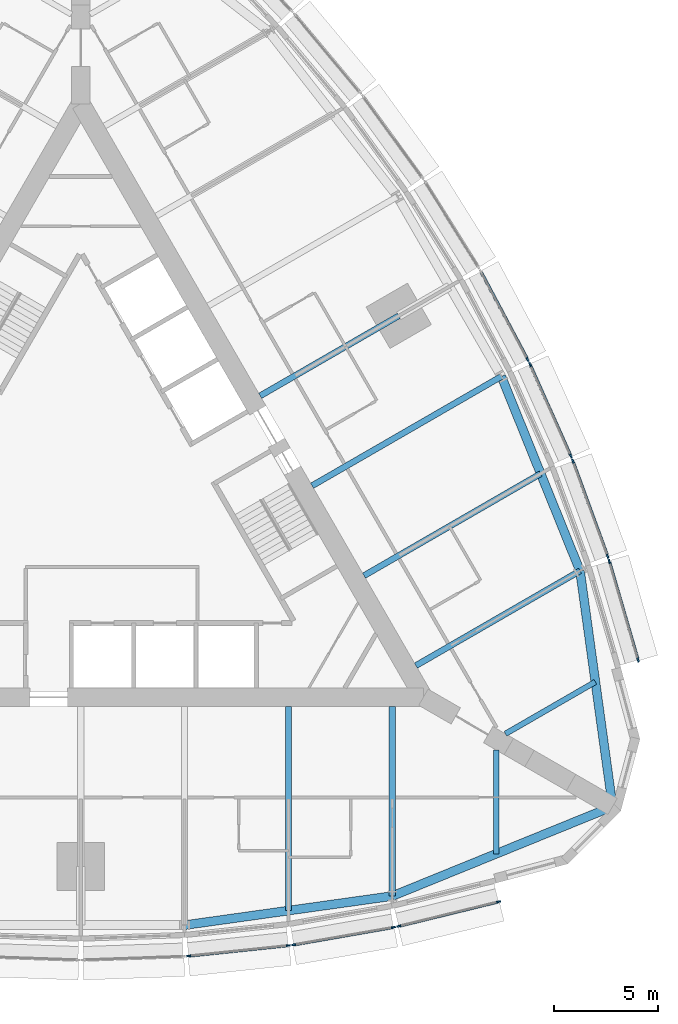
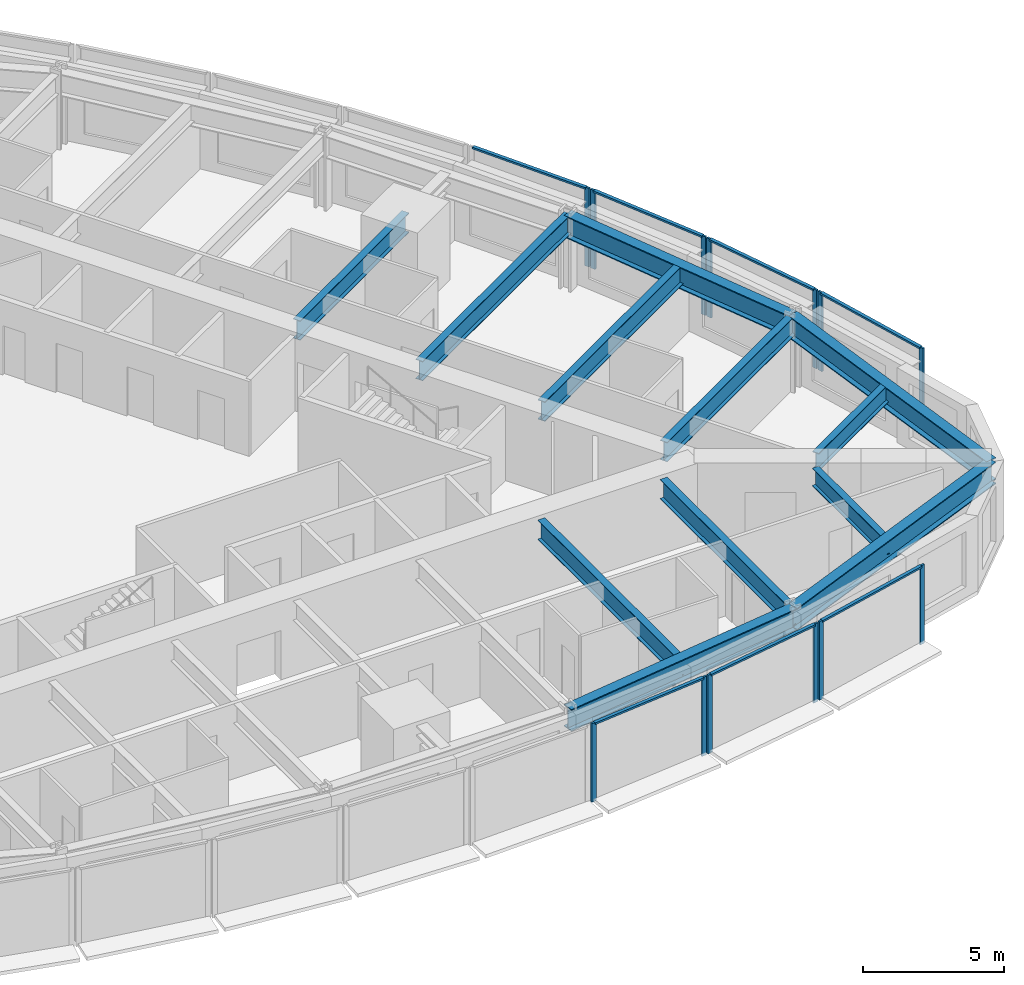
# One storey, part 3 of 14: 20 members, 12 beams, 7 elements without a shape of their own.
"""IFC4 building model written with IfcOpenShell, lengths in metres."""

import ifcopenshell
import ifcopenshell.guid

model = None  # the IFC model being written
_history = None  # IfcOwnerHistory: only IFC2X3 demands one
_inside = {}  # id of a spatial element -> (the spatial element, [elements in it])
_under = {}  # id of a project, library or spatial element -> (it, [spatial elements below it])
_declared = {}  # id of a project -> (the project, [libraries it declares])
_typed = {}  # id of a type object -> (the type object, [elements of that type])
_made_of = {}  # id of a material, layer set ... -> (it, [elements and type objects made of it])


def new_model(schema):
    """Start an empty IFC model of exactly this schema.

    Asked for "IFC4X3", IfcOpenShell would pick the latest addendum, in which some entities
    have other attributes; the version numbers below select the first issue.
    IFC2X3 requires an IfcOwnerHistory on every rooted entity: one is made here for all.
    """
    global model, _history
    if schema == "IFC4X3":
        model = ifcopenshell.file(schema_version=(4, 3, 0, 0))
    else:
        model = ifcopenshell.file(schema=schema)
    _inside.clear()
    _under.clear()
    _declared.clear()
    _typed.clear()
    _made_of.clear()
    _history = None
    if model.schema == "IFC2X3":
        org = make("IfcOrganization", Name="unknown")
        user = make(
            "IfcPersonAndOrganization",
            ThePerson=make("IfcPerson", FamilyName="unknown"),
            TheOrganization=org,
        )
        app = make(
            "IfcApplication",
            ApplicationDeveloper=org,
            Version="unknown",
            ApplicationFullName="unknown",
            ApplicationIdentifier="unknown",
        )
        _history = make(
            "IfcOwnerHistory",
            OwningUser=user,
            OwningApplication=app,
            ChangeAction="ADDED",
            CreationDate=0,
        )
    return model


def make(cls, **values):
    """One entity of the class cls with the attributes given. An attribute that is None is left unset."""
    return model.create_entity(
        cls, **{name: value for name, value in values.items() if value is not None}
    )


def rooted(cls, **values):
    """An entity with a GlobalId (a new one), such as an element, a storey or a relation."""
    return make(cls, GlobalId=ifcopenshell.guid.new(), OwnerHistory=_history, **values)


def si_unit(unit_type, name, prefix=None):
    """IfcSIUnit, for example si_unit("LENGTHUNIT", "METRE", prefix="MILLI")."""
    return make("IfcSIUnit", UnitType=unit_type, Prefix=prefix, Name=name)


def assignment(units):
    """IfcUnitAssignment: the units of a project."""
    return None if units is None else make("IfcUnitAssignment", Units=units)


def point(xyz):
    """IfcCartesianPoint."""
    return None if xyz is None else make("IfcCartesianPoint", Coordinates=xyz)


def direction(xyz):
    """IfcDirection."""
    return None if xyz is None else make("IfcDirection", DirectionRatios=xyz)


def frame(location, z_axis=None, x_axis=None):
    """IfcAxis2Placement3D, a coordinate frame: its origin and axes. An axis left out is left unset."""
    return make(
        "IfcAxis2Placement3D",
        Location=point(location),
        Axis=direction(z_axis),
        RefDirection=direction(x_axis),
    )


def frame_2d(location, x_axis=None):
    """IfcAxis2Placement2D, a coordinate frame in the plane: its origin and x axis."""
    return make(
        "IfcAxis2Placement2D", Location=point(location), RefDirection=direction(x_axis)
    )


def origin():
    """The frame at (0, 0, 0) with its axes left unset."""
    return frame((0.0, 0.0, 0.0))


def origin_2d():
    """The frame at (0, 0) in the plane with its x axis left unset."""
    return frame_2d((0.0, 0.0))


def place(relative_to, where):
    """IfcLocalPlacement: puts the frame where relative to a parent placement (None: the world)."""
    return make(
        "IfcLocalPlacement", PlacementRelTo=relative_to, RelativePlacement=where
    )


def context(
    kind, dimensions, precision=None, world=None, true_north=None, identifier=None
):
    """IfcGeometricRepresentationContext, for example the 3D "Model" context."""
    return make(
        "IfcGeometricRepresentationContext",
        ContextIdentifier=identifier,
        ContextType=kind,
        CoordinateSpaceDimension=dimensions,
        Precision=precision,
        WorldCoordinateSystem=world,
        TrueNorth=true_north,
    )


def subcontext(parent, identifier, kind, view, scale=None):
    """IfcGeometricRepresentationSubContext, for example "Body" below "Model"."""
    return make(
        "IfcGeometricRepresentationSubContext",
        ContextIdentifier=identifier,
        ContextType=kind,
        ParentContext=parent,
        TargetScale=scale,
        TargetView=view,
    )


def project(units=None, contexts=None):
    """IfcProject with its units and contexts."""
    return rooted(
        "IfcProject",
        Name="project",
        RepresentationContexts=contexts,
        UnitsInContext=assignment(units),
    )


def spatial(cls, under=None, at=None, **own):
    """A site, building, storey or space (cls), placed at a placement, below another one or the project."""
    s = rooted(cls, ObjectPlacement=at, **own)
    if under is not None:
        _under.setdefault(under.id(), (under, []))[1].append(s)
    return s


def profile(cls, at=None, kind="AREA", **sizes):
    """A parametric profile (cls). Its sizes go by their IFC names, for example OverallWidth=200.0."""
    return make(cls, ProfileType=kind, Position=at, **sizes)


def rectangle(**sizes):
    """IfcRectangleProfileDef."""
    return profile("IfcRectangleProfileDef", **sizes)


def i_section(**sizes):
    """IfcIShapeProfileDef."""
    return profile("IfcIShapeProfileDef", **sizes)


def extrude(swept, where, along, depth):
    """IfcExtrudedAreaSolid: the profile swept, set in the frame where, extruded along a direction by depth."""
    return make(
        "IfcExtrudedAreaSolid",
        SweptArea=swept,
        Position=where,
        ExtrudedDirection=direction(along),
        Depth=depth,
    )


def shape(context_of_items, identifier, shape_type, items):
    """IfcShapeRepresentation: the items that make up one representation, for example the "Body"."""
    return make(
        "IfcShapeRepresentation",
        ContextOfItems=context_of_items,
        RepresentationIdentifier=identifier,
        RepresentationType=shape_type,
        Items=items,
    )


def material(Name=None, Category=None):
    """IfcMaterial."""
    return make("IfcMaterial", Name=Name, Category=Category)


def material_profile(
    of_material, cross_section, Name=None, Category=None, Priority=None
):
    """IfcMaterialProfile: a cross section and its material."""
    return make(
        "IfcMaterialProfile",
        Name=Name,
        Material=of_material,
        Profile=cross_section,
        Priority=Priority,
        Category=Category,
    )


def profile_set(profiles, Name=None, composite=None):
    """IfcMaterialProfileSet."""
    return make(
        "IfcMaterialProfileSet",
        Name=Name,
        MaterialProfiles=profiles,
        CompositeProfile=composite,
    )


def made_of(thing, what):
    """Note that an element or type object is made of a material, layer set ...; save() writes the relation."""
    if what is not None:
        _made_of.setdefault(what.id(), (what, []))[1].append(thing)
    return thing


def type_object(cls, material=None, **own):
    """A type object (cls), such as IfcWallType, which elements share."""
    return made_of(rooted(cls, **own), material)


def element(
    cls,
    number,
    at=None,
    inside=None,
    cuts=None,
    type_object=None,
    material=None,
    context=None,
    identifier="Body",
    shape_type=None,
    held_by="IfcProductDefinitionShape",
    body=None,
    shapes=None,
    **own,
):
    """One element of the class cls, such as IfcWall. Its Tag is "e" and its number.

    at: its placement. inside: the storey or other place that contains it. cuts: it is an
    opening in that element (IfcRelVoidsElement). A single representation is given by context,
    identifier, shape_type and body (its items); several are given by shapes. held_by: the class
    of the entity that holds the representations. save() writes the other relations.
    """
    e = rooted(cls, Tag="e%d" % number, ObjectPlacement=at, **own)
    if body is not None:
        shapes = [shape(context, identifier, shape_type, body)]
    if shapes is not None:
        e.Representation = make(held_by, Representations=shapes)
    if inside is not None:
        _inside.setdefault(inside.id(), (inside, []))[1].append(e)
    if cuts is not None:
        rooted(
            "IfcRelVoidsElement", RelatingBuildingElement=cuts, RelatedOpeningElement=e
        )
    if type_object is not None:
        _typed.setdefault(type_object.id(), (type_object, []))[1].append(e)
    return made_of(e, material)


def aggregate(whole, parts):
    """IfcRelAggregates: a whole, such as a stair, and the parts it consists of."""
    return rooted("IfcRelAggregates", RelatingObject=whole, RelatedObjects=parts)


def save(model, path):
    """Write the relations noted so far, then the file.

    IfcRelAggregates (storeys below a building ...), IfcRelContainedInSpatialStructure (elements
    in a storey), IfcRelDefinesByType, IfcRelAssociatesMaterial and IfcRelDeclares: one each for
    every whole, place, type object, material and project.
    """
    for whole, parts in _under.values():
        aggregate(whole, parts)
    for where, things in _inside.values():
        rooted(
            "IfcRelContainedInSpatialStructure",
            RelatedElements=things,
            RelatingStructure=where,
        )
    for kind, things in _typed.values():
        rooted("IfcRelDefinesByType", RelatedObjects=things, RelatingType=kind)
    for what, things in _made_of.values():
        rooted("IfcRelAssociatesMaterial", RelatedObjects=things, RelatingMaterial=what)
    for by, libraries in _declared.values():
        rooted("IfcRelDeclares", RelatingContext=by, RelatedDefinitions=libraries)
    model.write(path)


model = new_model("IFC4")

# Units and contexts
model_context = context("Model", 3, precision=1e-05, world=origin(), true_north=direction((0.0, 1.0)))
body_context = subcontext(model_context, "Body", "Model", "MODEL_VIEW")
ifc_project = project(units=[si_unit("LENGTHUNIT", "METRE"), si_unit("AREAUNIT", "SQUARE_METRE"), si_unit("VOLUMEUNIT", "CUBIC_METRE"), si_unit("PLANEANGLEUNIT", "RADIAN"), si_unit("MASSUNIT", "GRAM", prefix="KILO")], contexts=[model_context])

# Site, building, storey
site_placement = place(None, origin())
site = spatial("IfcSite", under=ifc_project, at=site_placement, CompositionType="ELEMENT")
building_placement = place(site_placement, origin())
building = spatial("IfcBuilding", under=site, at=building_placement, Name="Trikona Tower", CompositionType="ELEMENT")
storey_placement = place(building_placement, frame((0.0, 0.0, 155.5)))
storey = spatial("IfcBuildingStorey", under=building, at=storey_placement, Name="L41", CompositionType="ELEMENT", Elevation=155.5)

# Curtain wall, members
ifc_material_1 = material(Name="Aluminium curtain wall system", Category="aluminium")
curtain_wall_type = type_object("IfcCurtainWallType", Name="Curtain wall DS2", PredefinedType="NOTDEFINED", material=ifc_material_1)
curtain_wall_1_placement = place(storey_placement, origin())
curtain_wall_1 = element("IfcCurtainWall", 1, at=curtain_wall_1_placement, inside=storey, type_object=curtain_wall_type, Name="Curtain wall DS2 L41", PredefinedType="NOTDEFINED")
ifc_material_2 = material(Name="Aluminium mullion, pale anodised", Category="aluminium")
ifc_material_profile_1 = material_profile(ifc_material_2, rectangle(XDim=0.080078125, YDim=0.199951171875, at=origin_2d()), Name="MUL-DS2")
ifc_profile_set_1 = profile_set([ifc_material_profile_1], Name="Aluminium mullion, pale anodised")
member_type_1 = type_object("IfcMemberType", Name="Mullion DS2 80x200", PredefinedType="MULLION", material=ifc_profile_set_1)
member_1_placement = place(storey_placement, frame((5.193359375, -21.98486328125, 0.0), z_axis=(0.0, 0.0, 1.0), x_axis=(-0.104433387357, 0.994531883654, 0.0)))
member_1 = element("IfcMember", 2, at=member_1_placement, type_object=member_type_1, Name="CW-DS2 mullion 1", PredefinedType="MULLION", context=body_context, shape_type="SweptSolid", body=[
    extrude(rectangle(XDim=0.080078125, YDim=0.199951171875, at=origin_2d()), origin(), (0.0, 0.0, 1.0), 3.39990234375),
])
member_2_placement = place(storey_placement, frame((9.99462890625, -21.480712890625, 0.0), z_axis=(0.0, 0.0, 1.0), x_axis=(-0.104433387357, 0.994531883654, 0.0)))
member_2 = element("IfcMember", 3, at=member_2_placement, type_object=member_type_1, Name="CW-DS2 mullion 2", PredefinedType="MULLION", context=body_context, shape_type="SweptSolid", body=[
    extrude(rectangle(XDim=0.080078125, YDim=0.199951171875, at=origin_2d()), origin(), (0.0, 0.0, 1.0), 3.39990234375),
])

curtain_wall_2_placement = place(storey_placement, origin())
curtain_wall_2 = element("IfcCurtainWall", 4, at=curtain_wall_2_placement, inside=storey, type_object=curtain_wall_type, Name="Curtain wall DS2 L41", PredefinedType="NOTDEFINED")
member_3_placement = place(storey_placement, frame((10.253662109375, -21.444580078125, 0.0), z_axis=(0.0, 0.0, 1.0), x_axis=(-0.17237739505, 0.985030981074, 0.0)))
member_3 = element("IfcMember", 5, at=member_3_placement, type_object=member_type_1, Name="CW-DS2 mullion 1", PredefinedType="MULLION", context=body_context, shape_type="SweptSolid", body=[
    extrude(rectangle(XDim=0.080078125, YDim=0.199951171875, at=origin_2d()), origin(), (0.0, 0.0, 1.0), 3.39990234375),
])
member_4_placement = place(storey_placement, frame((15.056640625, -20.60400390625, 0.0), z_axis=(0.0, 0.0, 1.0), x_axis=(-0.17237739505, 0.985030981074, 0.0)))
member_4 = element("IfcMember", 6, at=member_4_placement, type_object=member_type_1, Name="CW-DS2 mullion 2", PredefinedType="MULLION", context=body_context, shape_type="SweptSolid", body=[
    extrude(rectangle(XDim=0.080078125, YDim=0.199951171875, at=origin_2d()), origin(), (0.0, 0.0, 1.0), 3.39990234375),
])

curtain_wall_3_placement = place(storey_placement, origin())
curtain_wall_3 = element("IfcCurtainWall", 7, at=curtain_wall_3_placement, inside=storey, type_object=curtain_wall_type, Name="Curtain wall DS2 L41", PredefinedType="NOTDEFINED")
member_5_placement = place(storey_placement, frame((15.311279296875, -20.550537109375, 0.0), z_axis=(0.0, 0.0, 1.0), x_axis=(-0.237970204243, 0.971272455026, 0.0)))
member_5 = element("IfcMember", 8, at=member_5_placement, type_object=member_type_1, Name="CW-DS2 mullion 1", PredefinedType="MULLION", context=body_context, shape_type="SweptSolid", body=[
    extrude(rectangle(XDim=0.080078125, YDim=0.199951171875, at=origin_2d()), origin(), (0.0, 0.0, 1.0), 3.39990234375),
])
member_6_placement = place(storey_placement, frame((20.116943359375, -19.373046875, 0.0), z_axis=(0.0, 0.0, 1.0), x_axis=(-0.237970204243, 0.971272455026, 0.0)))
member_6 = element("IfcMember", 9, at=member_6_placement, type_object=member_type_1, Name="CW-DS2 mullion 2", PredefinedType="MULLION", context=body_context, shape_type="SweptSolid", body=[
    extrude(rectangle(XDim=0.080078125, YDim=0.199951171875, at=origin_2d()), origin(), (0.0, 0.0, 1.0), 3.39990234375),
])

curtain_wall_4_placement = place(storey_placement, origin())
curtain_wall_4 = element("IfcCurtainWall", 10, at=curtain_wall_4_placement, inside=storey, type_object=curtain_wall_type, Name="Curtain wall DS2 L41", PredefinedType="NOTDEFINED")
member_7_placement = place(storey_placement, frame((26.836181640625, -7.7353515625, 0.0), z_axis=(0.0, 0.0, 1.0), x_axis=(-0.96013310152, -0.279543247757, 0.0)))
member_7 = element("IfcMember", 11, at=member_7_placement, type_object=member_type_1, Name="CW-DS2 mullion 1", PredefinedType="MULLION", context=body_context, shape_type="SweptSolid", body=[
    extrude(rectangle(XDim=0.080078125, YDim=0.199951171875, at=origin_2d()), origin(), (0.0, 0.0, 1.0), 3.39990234375),
])
member_8_placement = place(storey_placement, frame((25.452880859375, -2.984619140625, 0.0), z_axis=(0.0, 0.0, 1.0), x_axis=(-0.96013310152, -0.279543247757, 0.0)))
member_8 = element("IfcMember", 12, at=member_8_placement, type_object=member_type_1, Name="CW-DS2 mullion 2", PredefinedType="MULLION", context=body_context, shape_type="SweptSolid", body=[
    extrude(rectangle(XDim=0.080078125, YDim=0.199951171875, at=origin_2d()), origin(), (0.0, 0.0, 1.0), 3.39990234375),
])

curtain_wall_5_placement = place(storey_placement, origin())
curtain_wall_5 = element("IfcCurtainWall", 13, at=curtain_wall_5_placement, inside=storey, type_object=curtain_wall_type, Name="Curtain wall DS2 L41", PredefinedType="NOTDEFINED")
member_9_placement = place(storey_placement, frame((25.371826171875, -2.737548828125, 0.0), z_axis=(0.0, 0.0, 1.0), x_axis=(-0.939253790978, -0.343223420143, 0.0)))
member_9 = element("IfcMember", 14, at=member_9_placement, type_object=member_type_1, Name="CW-DS2 mullion 1", PredefinedType="MULLION", context=body_context, shape_type="SweptSolid", body=[
    extrude(rectangle(XDim=0.080078125, YDim=0.199951171875, at=origin_2d()), origin(), (0.0, 0.0, 1.0), 3.39990234375),
])
member_10_placement = place(storey_placement, frame((23.6982421875, 1.84228515625, 0.0), z_axis=(0.0, 0.0, 1.0), x_axis=(-0.939253790978, -0.343223420143, 0.0)))
member_10 = element("IfcMember", 15, at=member_10_placement, type_object=member_type_1, Name="CW-DS2 mullion 2", PredefinedType="MULLION", context=body_context, shape_type="SweptSolid", body=[
    extrude(rectangle(XDim=0.080078125, YDim=0.199951171875, at=origin_2d()), origin(), (0.0, 0.0, 1.0), 3.39990234375),
])

curtain_wall_6_placement = place(storey_placement, origin())
curtain_wall_6 = element("IfcCurtainWall", 16, at=curtain_wall_6_placement, inside=storey, type_object=curtain_wall_type, Name="Curtain wall DS2 L41", PredefinedType="NOTDEFINED")
member_11_placement = place(storey_placement, frame((23.60009765625, 2.0849609375, 0.0), z_axis=(0.0, 0.0, 1.0), x_axis=(-0.913501208767, -0.406836013132, 0.0)))
member_11 = element("IfcMember", 17, at=member_11_placement, type_object=member_type_1, Name="CW-DS2 mullion 1", PredefinedType="MULLION", context=body_context, shape_type="SweptSolid", body=[
    extrude(rectangle(XDim=0.080078125, YDim=0.199951171875, at=origin_2d()), origin(), (0.0, 0.0, 1.0), 3.39990234375),
])
member_12_placement = place(storey_placement, frame((21.63623046875, 6.494873046875, 0.0), z_axis=(0.0, 0.0, 1.0), x_axis=(-0.913501208767, -0.406836013132, 0.0)))
member_12 = element("IfcMember", 18, at=member_12_placement, type_object=member_type_1, Name="CW-DS2 mullion 2", PredefinedType="MULLION", context=body_context, shape_type="SweptSolid", body=[
    extrude(rectangle(XDim=0.080078125, YDim=0.199951171875, at=origin_2d()), origin(), (0.0, 0.0, 1.0), 3.39990234375),
])

# Curtain wall, member
curtain_wall_7_placement = place(storey_placement, origin())
curtain_wall_7 = element("IfcCurtainWall", 19, at=curtain_wall_7_placement, inside=storey, type_object=curtain_wall_type, Name="Curtain wall DS2 L41", PredefinedType="NOTDEFINED")
member_13_placement = place(storey_placement, frame((21.52099609375, 6.730712890625, 0.0), z_axis=(0.0, 0.0, 1.0), x_axis=(-0.882996107343, -0.469380308937, 0.0)))
member_13 = element("IfcMember", 20, at=member_13_placement, type_object=member_type_1, Name="CW-DS2 mullion 1", PredefinedType="MULLION", context=body_context, shape_type="SweptSolid", body=[
    extrude(rectangle(XDim=0.080078125, YDim=0.199951171875, at=origin_2d()), origin(), (0.0, 0.0, 1.0), 3.39990234375),
])

# Beams
ifc_material_3 = material(Name="Steel ASTM A992 Grade 50", Category="steel")
ifc_material_profile_2 = material_profile(ifc_material_3, i_section(OverallWidth=0.2666015625, OverallDepth=0.76953125, WebThickness=0.015625, FlangeThickness=0.025390625, at=origin_2d()), Name="W30X132")
ifc_profile_set_2 = profile_set([ifc_material_profile_2], Name="Steel ASTM A992 Grade 50")
beam_type_1 = type_object("IfcBeamType", Name="Steel beam W30x132 (wedge)", PredefinedType="BEAM", material=ifc_profile_set_2)
beam_1_placement = place(storey_placement, frame((20.0, -12.066650390625, 2.85009765625), z_axis=(0.0, -1.0, 0.0), x_axis=(1.0, 0.0, 0.0)))
element("IfcBeam", 21, at=beam_1_placement, inside=storey, type_object=beam_type_1, Name="Floor beam L42 F1 u20", PredefinedType="BEAM", context=body_context, shape_type="SweptSolid", body=[
    extrude(i_section(OverallWidth=0.2666015625, OverallDepth=0.76953125, WebThickness=0.015625, FlangeThickness=0.025390625, at=origin_2d()), origin(), (0.0, 0.0, 1.0), 5.00048828125),
])
beam_2_placement = place(storey_placement, frame((20.449951171875, -11.287109375, 2.85009765625), z_axis=(0.866038434829, 0.49997742889, 0.0), x_axis=(-0.49997742889, 0.866038434829, 0.0)))
element("IfcBeam", 22, at=beam_2_placement, inside=storey, type_object=beam_type_1, Name="Floor beam L42 F2 u-20", PredefinedType="BEAM", context=body_context, shape_type="SweptSolid", body=[
    extrude(i_section(OverallWidth=0.2666015625, OverallDepth=0.76953125, WebThickness=0.015625, FlangeThickness=0.025390625, at=origin_2d()), origin(), (0.0, 0.0, 1.0), 5.000732421875),
])
ifc_material_4 = material(Name="Steel ASTM A992 Grade 50", Category="steel")
ifc_material_profile_3 = material_profile(ifc_material_4, i_section(OverallWidth=0.2919921875, OverallDepth=0.845703125, WebThickness=0.015380859375, FlangeThickness=0.0244140625, at=origin_2d()), Name="W33X141")
ifc_profile_set_3 = profile_set([ifc_material_profile_3], Name="Steel ASTM A992 Grade 50")
beam_type_2 = type_object("IfcBeamType", Name="Steel beam W33x141 (radial typ)", PredefinedType="BEAM", material=ifc_profile_set_3)
beam_3_placement = place(storey_placement, frame((10.0, -9.976318359375, 2.81201171875), z_axis=(0.0, -1.0, 0.0), x_axis=(1.0, 0.0, 0.0)))
element("IfcBeam", 23, at=beam_3_placement, inside=storey, type_object=beam_type_2, Name="Floor beam L42 F1 u10", PredefinedType="BEAM", context=body_context, shape_type="SweptSolid", body=[
    extrude(i_section(OverallWidth=0.2919921875, OverallDepth=0.845703125, WebThickness=0.015380859375, FlangeThickness=0.0244140625, at=origin_2d()), origin(), (0.0, 0.0, 1.0), 9.823974609375),
])
beam_4_placement = place(storey_placement, frame((15.0, -9.976318359375, 2.81201171875), z_axis=(0.0, -1.0, 0.0), x_axis=(1.0, 0.0, 0.0)))
element("IfcBeam", 24, at=beam_4_placement, inside=storey, type_object=beam_type_2, Name="Floor beam L42 F1 u15", PredefinedType="BEAM", context=body_context, shape_type="SweptSolid", body=[
    extrude(i_section(OverallWidth=0.2919921875, OverallDepth=0.845703125, WebThickness=0.015380859375, FlangeThickness=0.0244140625, at=origin_2d()), origin(), (0.0, 0.0, 1.0), 9.123779296875),
])
beam_5_placement = place(storey_placement, frame((16.1396484375, -8.002197265625, 2.81201171875), z_axis=(0.866024725532, 0.500001174766, 0.0), x_axis=(-0.500001174766, 0.866024725532, 0.0)))
element("IfcBeam", 25, at=beam_5_placement, inside=storey, type_object=beam_type_2, Name="Floor beam L42 F2 u-15", PredefinedType="BEAM", context=body_context, shape_type="SweptSolid", body=[
    extrude(i_section(OverallWidth=0.2919921875, OverallDepth=0.845703125, WebThickness=0.015380859375, FlangeThickness=0.0244140625, at=origin_2d()), origin(), (0.0, 0.0, 1.0), 9.1240234375),
])
beam_6_placement = place(storey_placement, frame((13.6396484375, -3.672119140625, 2.81201171875), z_axis=(0.866020046725, 0.500009278584, 0.0), x_axis=(-0.500009278584, 0.866020046725, 0.0)))
element("IfcBeam", 26, at=beam_6_placement, inside=storey, type_object=beam_type_2, Name="Floor beam L42 F2 u-10", PredefinedType="BEAM", context=body_context, shape_type="SweptSolid", body=[
    extrude(i_section(OverallWidth=0.2919921875, OverallDepth=0.845703125, WebThickness=0.015380859375, FlangeThickness=0.0244140625, at=origin_2d()), origin(), (0.0, 0.0, 1.0), 9.823974609375),
])
beam_7_placement = place(storey_placement, frame((11.1396484375, 0.657958984375, 2.81201171875), z_axis=(0.866026035623, 0.499998905622, 0.0), x_axis=(-0.499998905622, 0.866026035623, 0.0)))
element("IfcBeam", 27, at=beam_7_placement, inside=storey, type_object=beam_type_2, Name="Floor beam L42 F2 u-5", PredefinedType="BEAM", context=body_context, shape_type="SweptSolid", body=[
    extrude(i_section(OverallWidth=0.2919921875, OverallDepth=0.845703125, WebThickness=0.015380859375, FlangeThickness=0.0244140625, at=origin_2d()), origin(), (0.0, 0.0, 1.0), 10.52392578125),
])
beam_8_placement = place(storey_placement, frame((8.6396484375, 4.988037109375, 2.81201171875), z_axis=(0.866017246294, 0.500014128921, 0.0), x_axis=(-0.500014128921, 0.866017246294, 0.0)))
element("IfcBeam", 28, at=beam_8_placement, inside=storey, type_object=beam_type_2, Name="Floor beam L42 F2 u0", PredefinedType="BEAM", context=body_context, shape_type="SweptSolid", body=[
    extrude(i_section(OverallWidth=0.2919921875, OverallDepth=0.845703125, WebThickness=0.015380859375, FlangeThickness=0.0244140625, at=origin_2d()), origin(), (0.0, 0.0, 1.0), 7.704345703125),
])
ifc_material_5 = material(Name="Steel ASTM A992 Grade 50", Category="steel")
ifc_material_profile_4 = material_profile(ifc_material_5, i_section(OverallWidth=0.424072265625, OverallDepth=0.947509765625, WebThickness=0.02392578125, FlangeThickness=0.042724609375, at=origin_2d()), Name="W36X302")
ifc_profile_set_4 = profile_set([ifc_material_profile_4], Name="Steel ASTM A992 Grade 50")
beam_type_3 = type_object("IfcBeamType", Name="Steel beam W36x302 (spandrel)", PredefinedType="SPANDREL", material=ifc_profile_set_4)
beam_9_placement = place(storey_placement, frame((5.0, -20.500244140625, 2.76123046875), z_axis=(0.990339754644, 0.13866207258, 0.0), x_axis=(-0.13866207258, 0.990339754644, 0.0)))
element("IfcBeam", 29, at=beam_9_placement, inside=storey, type_object=beam_type_3, Name="Spandrel beam L42 F1-4", PredefinedType="SPANDREL", context=body_context, shape_type="SweptSolid", body=[
    extrude(i_section(OverallWidth=0.424072265625, OverallDepth=0.947509765625, WebThickness=0.02392578125, FlangeThickness=0.042724609375, at=origin_2d()), origin(), (0.0, 0.0, 1.0), 10.09765625),
])
for number, where, z_axis, x_axis, name in (
    (30, (15.0, -19.10009765625, 2.76123046875), (0.926359695662, 0.376640032728, 0.0), (-0.376640032728, 0.926359695662, 0.0), "Spandrel beam L42 F1-5"),
    (31, (25.6103515625, -14.7861328125, 2.76123046875), (-0.136991535842, 0.990572218017, 0.0), (-0.990572218017, -0.136991535842, 0.0), "Spandrel beam L42 F2-1"),
):
    element("IfcBeam", number, at=place(storey_placement, frame(where, z_axis=z_axis, x_axis=x_axis)), inside=storey, type_object=beam_type_3, Name=name, PredefinedType="SPANDREL", context=body_context, shape_type="SweptSolid", body=[
        extrude(i_section(OverallWidth=0.424072265625, OverallDepth=0.947509765625, WebThickness=0.02392578125, FlangeThickness=0.042724609375, at=origin_2d()), origin(), (0.0, 0.0, 1.0), 11.453857421875),
    ])
beam_10_placement = place(storey_placement, frame((24.041259765625, -3.440185546875, 2.76123046875), z_axis=(-0.375106193787, 0.926981846307, 0.0), x_axis=(-0.926981846307, -0.375106193787, 0.0)))
element("IfcBeam", 32, at=beam_10_placement, inside=storey, type_object=beam_type_3, Name="Spandrel beam L42 F2-2", PredefinedType="SPANDREL", context=body_context, shape_type="SweptSolid", body=[
    extrude(i_section(OverallWidth=0.424072265625, OverallDepth=0.947509765625, WebThickness=0.02392578125, FlangeThickness=0.042724609375, at=origin_2d()), origin(), (0.0, 0.0, 1.0), 10.097412109375),
])

# Member
ifc_material_6 = material(Name="Aluminium transom, pale anodised", Category="aluminium")
ifc_material_profile_5 = material_profile(ifc_material_6, rectangle(XDim=0.139892578125, YDim=0.080078125, at=origin_2d()), Name="TRN-DS2")
ifc_profile_set_5 = profile_set([ifc_material_profile_5], Name="Aluminium transom, pale anodised")
member_type_2 = type_object("IfcMemberType", Name="Transom DS2 80x140", PredefinedType="USERDEFINED", material=ifc_profile_set_5)
member_14_placement = place(storey_placement, frame((5.233154296875, -21.980712890625, 3.360107421875), z_axis=(0.99453106441, 0.104441188822, 0.0), x_axis=(-0.104441188822, 0.99453106441, 0.0)))
member_14 = element("IfcMember", 33, at=member_14_placement, type_object=member_type_2, Name="CW-DS2 transom 1.1", ObjectType="TRANSOM", PredefinedType="USERDEFINED", context=body_context, shape_type="SweptSolid", body=[
    extrude(rectangle(XDim=0.139892578125, YDim=0.080078125, at=origin_2d()), origin(), (0.0, 0.0, 1.0), 4.74755859375),
])

aggregate(curtain_wall_1, [member_1, member_2, member_14])

member_15_placement = place(storey_placement, frame((10.29296875, -21.4375, 3.360107421875), z_axis=(0.98503262804, 0.172367983387, 0.0), x_axis=(-0.172367983387, 0.98503262804, 0.0)))
member_15 = element("IfcMember", 34, at=member_15_placement, type_object=member_type_2, Name="CW-DS2 transom 1.1", ObjectType="TRANSOM", PredefinedType="USERDEFINED", context=body_context, shape_type="SweptSolid", body=[
    extrude(rectangle(XDim=0.139892578125, YDim=0.080078125, at=origin_2d()), origin(), (0.0, 0.0, 1.0), 4.7958984375),
])

aggregate(curtain_wall_2, [member_3, member_4, member_15])

member_16_placement = place(storey_placement, frame((15.35009765625, -20.541015625, 3.360107421875), z_axis=(0.971270583303, 0.237977843528, 0.0), x_axis=(-0.237977843528, 0.971270583303, 0.0)))
member_16 = element("IfcMember", 35, at=member_16_placement, type_object=member_type_2, Name="CW-DS2 transom 1.1", ObjectType="TRANSOM", PredefinedType="USERDEFINED", context=body_context, shape_type="SweptSolid", body=[
    extrude(rectangle(XDim=0.139892578125, YDim=0.080078125, at=origin_2d()), origin(), (0.0, 0.0, 1.0), 4.867919921875),
])

aggregate(curtain_wall_3, [member_5, member_6, member_16])

member_17_placement = place(storey_placement, frame((26.824951171875, -7.69677734375, 3.360107421875), z_axis=(-0.279566628153, 0.960126293996, 0.0), x_axis=(-0.960126293996, -0.279566628153, 0.0)))
member_17 = element("IfcMember", 36, at=member_17_placement, type_object=member_type_2, Name="CW-DS2 transom 1.1", ObjectType="TRANSOM", PredefinedType="USERDEFINED", context=body_context, shape_type="SweptSolid", body=[
    extrude(rectangle(XDim=0.139892578125, YDim=0.080078125, at=origin_2d()), origin(), (0.0, 0.0, 1.0), 4.86767578125),
])

aggregate(curtain_wall_4, [member_7, member_8, member_17])

member_18_placement = place(storey_placement, frame((25.358154296875, -2.699951171875, 3.360107421875), z_axis=(-0.343205907674, 0.939260190223, 0.0), x_axis=(-0.939260190223, -0.343205907674, 0.0)))
member_18 = element("IfcMember", 37, at=member_18_placement, type_object=member_type_2, Name="CW-DS2 transom 1.1", ObjectType="TRANSOM", PredefinedType="USERDEFINED", context=body_context, shape_type="SweptSolid", body=[
    extrude(rectangle(XDim=0.139892578125, YDim=0.080078125, at=origin_2d()), origin(), (0.0, 0.0, 1.0), 4.7958984375),
])

aggregate(curtain_wall_5, [member_9, member_10, member_18])

member_19_placement = place(storey_placement, frame((23.583740234375, 2.12158203125, 3.360107421875), z_axis=(-0.406839769607, 0.913499535778, 0.0), x_axis=(-0.913499535778, -0.406839769607, 0.0)))
member_19 = element("IfcMember", 38, at=member_19_placement, type_object=member_type_2, Name="CW-DS2 transom 1.1", ObjectType="TRANSOM", PredefinedType="USERDEFINED", context=body_context, shape_type="SweptSolid", body=[
    extrude(rectangle(XDim=0.139892578125, YDim=0.080078125, at=origin_2d()), origin(), (0.0, 0.0, 1.0), 4.747314453125),
])

aggregate(curtain_wall_6, [member_11, member_12, member_19])

member_20_placement = place(storey_placement, frame((21.502197265625, 6.76611328125, 3.360107421875), z_axis=(-0.469364343408, 0.883004594063, 0.0), x_axis=(-0.883004594063, -0.469364343408, 0.0)))
member_20 = element("IfcMember", 39, at=member_20_placement, type_object=member_type_2, Name="CW-DS2 transom 1.1", ObjectType="TRANSOM", PredefinedType="USERDEFINED", context=body_context, shape_type="SweptSolid", body=[
    extrude(rectangle(XDim=0.139892578125, YDim=0.080078125, at=origin_2d()), origin(), (0.0, 0.0, 1.0), 4.722900390625),
])

aggregate(curtain_wall_7, [member_13, member_20])

save(model, "model.ifc")
